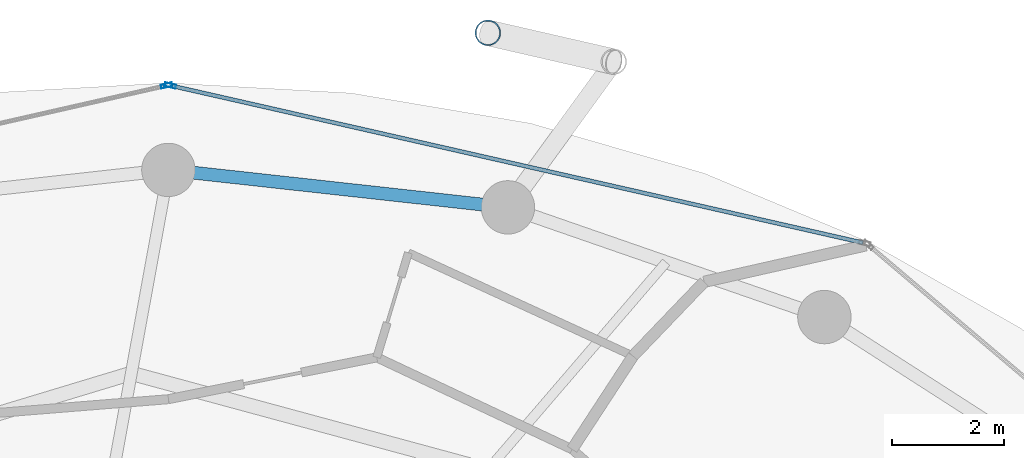
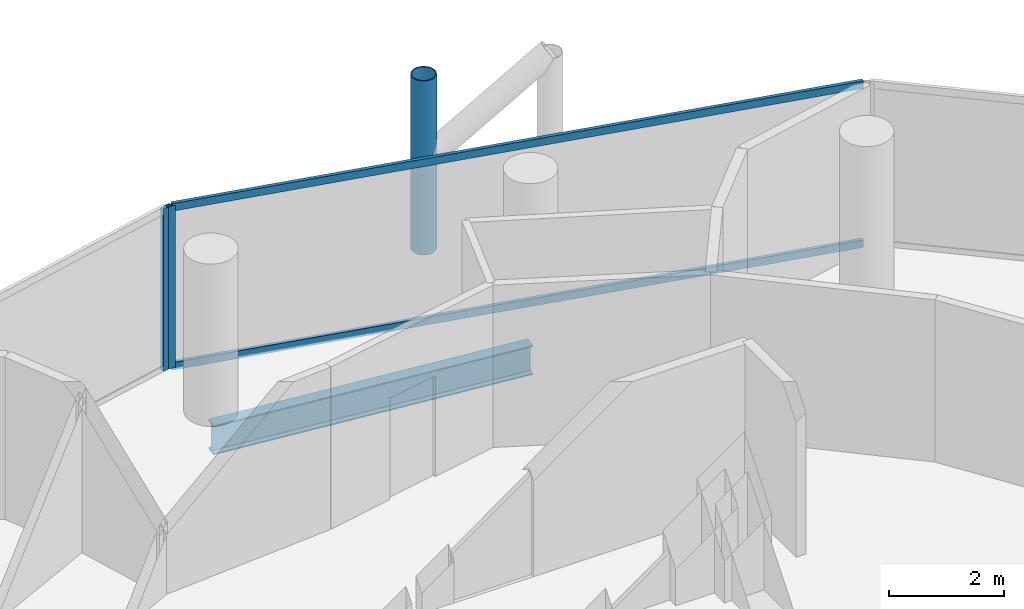
# One storey, part 17 of 26: 5 members, 1 beam, 2 elements without a shape of their own.
"""IFC4 building model written with IfcOpenShell, lengths in metres."""

from ifc_helpers import new_model, si_unit, direction, frame, origin, origin_2d, place, context, subcontext, project, spatial, hollow_rectangle, hollow_circle, i_section, extrude, material, layer, layer_set, material_profile, profile_set, type_object, element, aggregate, save


model = new_model("IFC4")

# Units and contexts
model_context = context("Model", 3, precision=1e-05, world=origin(), true_north=direction((0.0, 1.0)))
body_context = subcontext(model_context, "Body", "Model", "MODEL_VIEW")
ifc_project = project(units=[si_unit("LENGTHUNIT", "METRE"), si_unit("AREAUNIT", "SQUARE_METRE"), si_unit("VOLUMEUNIT", "CUBIC_METRE"), si_unit("PLANEANGLEUNIT", "RADIAN"), si_unit("MASSUNIT", "GRAM", prefix="KILO")], contexts=[model_context])

# Site, building, storey
site_placement = place(None, origin())
site = spatial("IfcSite", under=ifc_project, at=site_placement, CompositionType="ELEMENT")
building_placement = place(site_placement, origin())
building = spatial("IfcBuilding", under=site, at=building_placement, Name="Nuhasar Tower", CompositionType="ELEMENT")
storey_placement = place(building_placement, frame((0.0, 0.0, 125.64990234375)))
storey = spatial("IfcBuildingStorey", under=building, at=storey_placement, Name="L29", CompositionType="ELEMENT", Elevation=125.64990234375)

# Beam
ifc_material_1 = material(Name="Steel S355", Category="steel")
ifc_material_profile_1 = material_profile(ifc_material_1, i_section(OverallWidth=0.22998046875, OverallDepth=0.616943359375, WebThickness=0.01318359375, FlangeThickness=0.022216796875, at=origin_2d()), Name="W24X94")
ifc_profile_set_1 = profile_set([ifc_material_profile_1], Name="Steel S355")
beam_type = type_object("IfcBeamType", Name="BM-RING-W24X94", PredefinedType="SPANDREL", material=ifc_profile_set_1)
beam_placement = place(storey_placement, frame((45.04296875, 45.68408203125, -0.557861328125), z_axis=(-0.993981289157, 0.109549974015, 0.0), x_axis=(-0.109549974015, -0.993981289157, 0.0)))
element("IfcBeam", 1, at=beam_placement, inside=storey, type_object=beam_type, Name="L29 Perimeter Ring Spandrel 06", PredefinedType="SPANDREL", context=body_context, shape_type="SweptSolid", body=[
    extrude(i_section(OverallWidth=0.22998046875, OverallDepth=0.616943359375, WebThickness=0.01318359375, FlangeThickness=0.022216796875, at=origin_2d()), origin(), (0.0, 0.0, 1.0), 6.07958984375),
])

# Curtain wall, member
ifc_material_2 = material(Name="Aluminium 6063-T6", Category="aluminium")
ifc_layer = layer(ifc_material_2, 0.199951171875)
ifc_layer_set = layer_set([ifc_layer], Name="Aluminium 6063-T6")
curtain_wall_type = type_object("IfcCurtainWallType", Name="CW-Z2-HTL", PredefinedType="NOTDEFINED", material=ifc_layer_set)
curtain_wall_1_placement = place(storey_placement, origin())
curtain_wall_1 = element("IfcCurtainWall", 2, at=curtain_wall_1_placement, inside=storey, type_object=curtain_wall_type, Name="L29 Unitised Curtain Wall 03", PredefinedType="NOTDEFINED")
ifc_material_profile_2 = material_profile(ifc_material_2, hollow_rectangle(XDim=0.070068359375, YDim=0.199951171875, WallThickness=0.0048828125, at=origin_2d()), Name="CWM-3")
ifc_profile_set_2 = profile_set([ifc_material_profile_2], Name="Aluminium 6063-T6")
member_type_1 = type_object("IfcMemberType", Name="CW-MUL-S3", PredefinedType="MULLION", material=ifc_profile_set_2)
member_1_placement = place(storey_placement, frame((39.0341796875, 47.852294921875, 0.0), z_axis=(0.0, 0.0, 1.0), x_axis=(-0.22139729566, -0.975183694221, 0.0)))
member_1 = element("IfcMember", 3, at=member_1_placement, type_object=member_type_1, Name="CW-Z2 mullion 2", PredefinedType="MULLION", context=body_context, shape_type="SweptSolid", body=[
    extrude(hollow_rectangle(XDim=0.070068359375, YDim=0.199951171875, WallThickness=0.0048828125, at=origin_2d()), origin(), (0.0, 0.0, 1.0), 3.4501953125),
])

curtain_wall_2_placement = place(storey_placement, origin())
curtain_wall_2 = element("IfcCurtainWall", 4, at=curtain_wall_2_placement, inside=storey, type_object=curtain_wall_type, Name="L29 Unitised Curtain Wall 04", PredefinedType="NOTDEFINED")
member_2_placement = place(storey_placement, frame((38.9658203125, 47.852294921875, 0.0), z_axis=(0.0, 0.0, 1.0), x_axis=(0.22139729566, -0.975183694221, 0.0)))
member_2 = element("IfcMember", 5, at=member_2_placement, type_object=member_type_1, Name="CW-Z2 mullion 1", PredefinedType="MULLION", context=body_context, shape_type="SweptSolid", body=[
    extrude(hollow_rectangle(XDim=0.070068359375, YDim=0.199951171875, WallThickness=0.0048828125, at=origin_2d()), origin(), (0.0, 0.0, 1.0), 3.4501953125),
])
aggregate(curtain_wall_2, [member_2])

# Member
ifc_material_profile_3 = material_profile(ifc_material_2, hollow_rectangle(XDim=0.070068359375, YDim=0.159912109375, WallThickness=0.00439453125, at=origin_2d()), Name="CWT-3")
ifc_profile_set_3 = profile_set([ifc_material_profile_3], Name="Aluminium 6063-T6")
member_type_2 = type_object("IfcMemberType", Name="CW-TRN-S3", PredefinedType="USERDEFINED", material=ifc_profile_set_3)
member_3_placement = place(storey_placement, frame((51.36181640625, 45.053466796875, 0.03515625), z_axis=(-0.975183434528, 0.221398439519, 0.0), x_axis=(-0.221398439519, -0.975183434528, 0.0)))
member_3 = element("IfcMember", 6, at=member_3_placement, type_object=member_type_2, Name="CW-Z2 transom 1.1", ObjectType="TRANSOM", PredefinedType="USERDEFINED", context=body_context, shape_type="SweptSolid", body=[
    extrude(hollow_rectangle(XDim=0.070068359375, YDim=0.159912109375, WallThickness=0.00439453125, at=origin_2d()), origin(), (0.0, 0.0, 1.0), 12.606201171875),
])

member_4_placement = place(storey_placement, frame((51.36181640625, 45.053466796875, 3.4150390625), z_axis=(-0.975183434528, 0.221398439519, 0.0), x_axis=(-0.221398439519, -0.975183434528, 0.0)))
member_4 = element("IfcMember", 7, at=member_4_placement, type_object=member_type_2, Name="CW-Z2 transom 1.2", ObjectType="TRANSOM", PredefinedType="USERDEFINED", context=body_context, shape_type="SweptSolid", body=[
    extrude(hollow_rectangle(XDim=0.070068359375, YDim=0.159912109375, WallThickness=0.00439453125, at=origin_2d()), origin(), (0.0, 0.0, 1.0), 12.606201171875),
])

aggregate(curtain_wall_1, [member_1, member_3, member_4])

ifc_material_3 = material(Name="Steel S460", Category="steel")
ifc_material_profile_4 = material_profile(ifc_material_3, hollow_circle(Radius=0.228515625, WallThickness=0.022216796875, at=origin_2d()), Name="HSS457X22.2")
ifc_profile_set_4 = profile_set([ifc_material_profile_4], Name="Steel S460")
member_type_3 = type_object("IfcMemberType", Name="EXO-BRONZE-457", PredefinedType="BRACE", material=ifc_profile_set_4)
member_5_placement = place(storey_placement, frame((44.68603515625, 48.7900390625, 0.0), z_axis=(0.0, 0.0, 1.0), x_axis=(1.0, 0.0, 0.0)))
element("IfcMember", 8, at=member_5_placement, inside=storey, type_object=member_type_3, Name="L29 Exoskeleton Chord Column EC-03B", PredefinedType="BRACE", context=body_context, shape_type="SweptSolid", body=[
    extrude(hollow_circle(Radius=0.228515625, WallThickness=0.022216796875, at=origin_2d()), origin(), (0.0, 0.0, 1.0), 3.7001953125),
])

save(model, "model.ifc")
